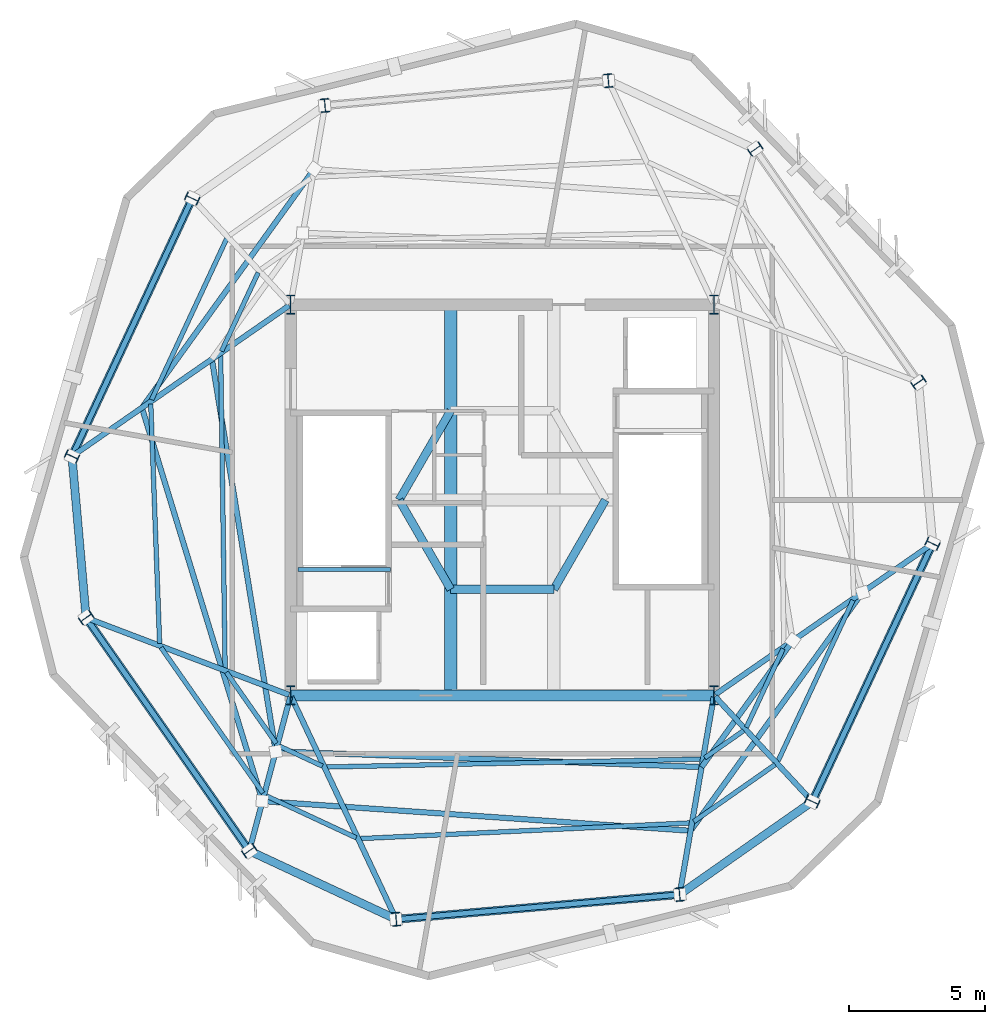
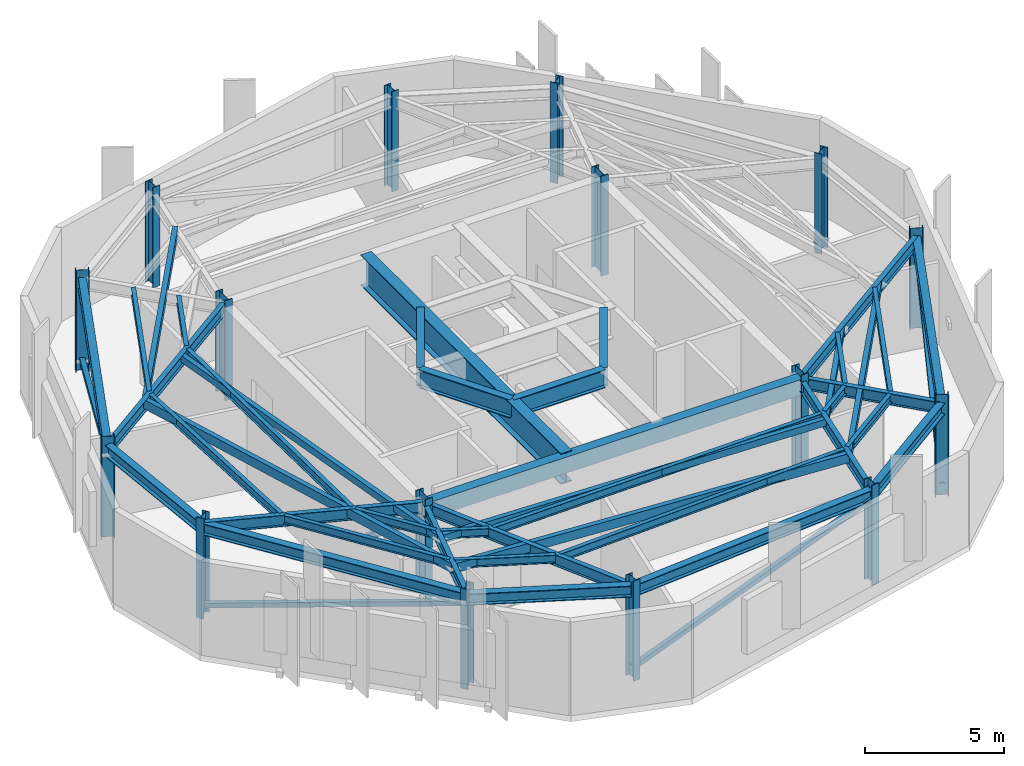
# One storey, part 1 of 5: 35 beams, 16 columns, 11 members.
"""IFC4 building model written with IfcOpenShell, lengths in metres."""

from ifc_helpers import new_model, si_unit, direction, frame, origin, origin_2d, place, context, subcontext, project, spatial, rectangle, hollow_rectangle, i_section, extrude, material, material_profile, profile_set, type_object, element, save


model = new_model("IFC4")

# Units and contexts
model_context = context("Model", 3, precision=1e-05, world=origin(), true_north=direction((0.0, 1.0)))
body_context = subcontext(model_context, "Body", "Model", "MODEL_VIEW")
ifc_project = project(units=[si_unit("LENGTHUNIT", "METRE"), si_unit("AREAUNIT", "SQUARE_METRE"), si_unit("VOLUMEUNIT", "CUBIC_METRE"), si_unit("PLANEANGLEUNIT", "RADIAN"), si_unit("MASSUNIT", "GRAM", prefix="KILO")], contexts=[model_context])

# Site, building, storey
site_placement = place(None, origin())
site = spatial("IfcSite", under=ifc_project, at=site_placement, CompositionType="ELEMENT")
building_placement = place(site_placement, origin())
building = spatial("IfcBuilding", under=site, at=building_placement, Name="Kranzbogen Civic Tower", CompositionType="ELEMENT")
storey_placement = place(building_placement, frame((0.0, 0.0, 322.60009765625)))
storey = spatial("IfcBuildingStorey", under=building, at=storey_placement, Name="L78", CompositionType="ELEMENT", Elevation=322.60009765625)

# Columns
ifc_material_1 = material(Name="Steel S355", Category="steel")
ifc_material_profile_1 = material_profile(ifc_material_1, i_section(OverallWidth=0.300048828125, OverallDepth=0.5, WebThickness=0.014404296875, FlangeThickness=0.028076171875, at=origin_2d()), Name="HEB 500")
ifc_profile_set_1 = profile_set([ifc_material_profile_1], Name="Steel S355")
column_type_1 = type_object("IfcColumnType", Name="Structural Column HEB 500", PredefinedType="COLUMN", material=ifc_profile_set_1)
for number, where, z_axis, x_axis, name in (
    (1, (28.908935546875, 40.449951171875, 0.0), (0.0, 0.0, 1.0), (0.996194698092, 0.087155742748, 0.0), "L78 tower perimeter tube column 01"),
    (2, (18.467041015625, 39.535888671875, 0.0), (0.0, 0.0, 1.0), (0.996194698092, 0.087155742748, 0.0), "L78 tower perimeter tube column 02"),
    (3, (13.574951171875, 36.110107421875, 0.0), (0.0, 0.0, 1.0), (0.422618261741, 0.906307787037, 0.0), "L78 tower perimeter tube column 03"),
    (4, (9.14501953125, 26.610107421875, 0.0), (0.0, 0.0, 1.0), (0.422618261741, 0.906307787037, 0.0), "L78 tower perimeter tube column 04"),
    (5, (9.666015625, 20.660888671875, 0.0), (0.0, 0.0, 1.0), (-0.573576436351, 0.819152044289, 0.0), "L78 tower perimeter tube column 05"),
    (6, (15.677978515625, 12.073974609375, 0.0), (0.0, 0.0, 1.0), (-0.573576436351, 0.819152044289, 0.0), "L78 tower perimeter tube column 06"),
    (7, (21.091064453125, 9.550048828125, 0.0), (0.0, 0.0, 1.0), (0.996194698092, 0.087155742748, 0.0), "L78 tower perimeter tube column 07"),
    (8, (31.532958984375, 10.464111328125, 0.0), (0.0, 0.0, 1.0), (0.996194698092, 0.087155742748, 0.0), "L78 tower perimeter tube column 08"),
    (9, (36.425048828125, 13.889892578125, 0.0), (0.0, 0.0, 1.0), (0.422618261741, 0.906307787037, 0.0), "L78 tower perimeter tube column 09"),
    (10, (40.85498046875, 23.389892578125, 0.0), (0.0, 0.0, 1.0), (0.422618261741, 0.906307787037, 0.0), "L78 tower perimeter tube column 10"),
    (11, (40.333984375, 29.339111328125, 0.0), (0.0, 0.0, 1.0), (-0.573576436351, 0.819152044289, 0.0), "L78 tower perimeter tube column 11"),
    (12, (34.322021484375, 37.926025390625, 0.0), (0.0, 0.0, 1.0), (-0.573576436351, 0.819152044289, 0.0), "L78 tower perimeter tube column 12"),
):
    element("IfcColumn", number, at=place(storey_placement, frame(where, z_axis=z_axis, x_axis=x_axis)), inside=storey, type_object=column_type_1, Name=name, PredefinedType="COLUMN", context=body_context, shape_type="SweptSolid", body=[
        extrude(i_section(OverallWidth=0.300048828125, OverallDepth=0.5, WebThickness=0.014404296875, FlangeThickness=0.028076171875, at=origin_2d()), origin(), (0.0, 0.0, 1.0), 4.39990234375),
    ])
ifc_material_profile_2 = material_profile(ifc_material_1, i_section(OverallWidth=0.300048828125, OverallDepth=0.699951171875, WebThickness=0.01708984375, FlangeThickness=0.031982421875, at=origin_2d()), Name="HEB 700")
ifc_profile_set_2 = profile_set([ifc_material_profile_2], Name="Steel S355")
column_type_2 = type_object("IfcColumnType", Name="Structural Column HEB 700", PredefinedType="COLUMN", material=ifc_profile_set_2)
for number, where, z_axis, x_axis, name in (
    (13, (17.199951171875, 17.800048828125, 0.0), (0.0, 0.0, 1.0), (1.0, 0.0, 0.0), "L78 composite core corner column 1"),
    (14, (32.800048828125, 17.800048828125, 0.0), (0.0, 0.0, 1.0), (1.0, 0.0, 0.0), "L78 composite core corner column 2"),
    (15, (32.800048828125, 32.199951171875, 0.0), (0.0, 0.0, 1.0), (1.0, 0.0, 0.0), "L78 composite core corner column 3"),
    (16, (17.199951171875, 32.199951171875, 0.0), (0.0, 0.0, 1.0), (1.0, 0.0, 0.0), "L78 composite core corner column 4"),
):
    element("IfcColumn", number, at=place(storey_placement, frame(where, z_axis=z_axis, x_axis=x_axis)), inside=storey, type_object=column_type_2, Name=name, PredefinedType="COLUMN", context=body_context, shape_type="SweptSolid", body=[
        extrude(i_section(OverallWidth=0.300048828125, OverallDepth=0.699951171875, WebThickness=0.01708984375, FlangeThickness=0.031982421875, at=origin_2d()), origin(), (0.0, 0.0, 1.0), 4.39990234375),
    ])

# Beam
ifc_material_2 = material(Name="Concrete C40/50", Category="concrete")
ifc_material_profile_3 = material_profile(ifc_material_2, rectangle(XDim=0.39990234375, YDim=0.699951171875, at=origin_2d()), Name="RC-BM 400x700")
ifc_profile_set_3 = profile_set([ifc_material_profile_3], Name="Concrete C40/50")
beam_type_1 = type_object("IfcBeamType", Name="Core Coupling Lintel Beam 400x700", PredefinedType="LINTEL", material=ifc_profile_set_3)
beam_1_placement = place(storey_placement, frame((17.199951171875, 17.800048828125, 3.75), z_axis=(1.0, 0.0, 0.0), x_axis=(0.0, 1.0, 0.0)))
element("IfcBeam", 17, at=beam_1_placement, inside=storey, type_object=beam_type_1, Name="L78 core South coupling lintel beam", PredefinedType="LINTEL", context=body_context, shape_type="SweptSolid", body=[
    extrude(rectangle(XDim=0.39990234375, YDim=0.699951171875, at=origin_2d()), origin(), (0.0, 0.0, 1.0), 15.60009765625),
])

# Members
ifc_material_profile_4 = material_profile(ifc_material_1, hollow_rectangle(XDim=0.199951171875, YDim=0.199951171875, WallThickness=0.012451171875, at=origin_2d()), Name="SHS 200x200x12.5")
ifc_profile_set_4 = profile_set([ifc_material_profile_4], Name="Steel S355")
member_type_1 = type_object("IfcMemberType", Name="Crown Drum Bracing Member SHS 200x200x12.5", PredefinedType="BRACE", material=ifc_profile_set_4)
member_1_placement = place(storey_placement, frame((13.574951171875, 36.110107421875, 0.449951171875), z_axis=(-0.4042036607, -0.866815808496, 0.291975606547), x_axis=(0.906307462258, -0.422618958231, 0.0)))
element("IfcMember", 18, at=member_1_placement, inside=storey, type_object=member_type_1, Name="DC-200: L78 crown drum lateral brace 2", PredefinedType="BRACE", context=body_context, shape_type="SweptSolid", body=[
    extrude(hollow_rectangle(XDim=0.199951171875, YDim=0.199951171875, WallThickness=0.012451171875, at=origin_2d()), origin(), (0.0, 0.0, 1.0), 10.959716796875),
])
member_2_placement = place(storey_placement, frame((9.666015625, 20.660888671875, 0.449951171875), z_axis=(0.548543887605, -0.783487740704, 0.291970141516), x_axis=(0.819181584375, 0.573534246424, 0.0)))
element("IfcMember", 19, at=member_2_placement, inside=storey, type_object=member_type_1, Name="DC-200: L78 crown drum lateral brace 3", PredefinedType="BRACE", context=body_context, shape_type="SweptSolid", body=[
    extrude(hollow_rectangle(XDim=0.199951171875, YDim=0.199951171875, WallThickness=0.012451171875, at=origin_2d()), origin(), (0.0, 0.0, 1.0), 10.9599609375),
])
member_3_placement = place(storey_placement, frame((21.091064453125, 9.550048828125, 0.449951171875), z_axis=(0.952780116497, 0.083404460046, 0.291982440658), x_axis=(-0.087204511818, 0.996190430148, 0.0)))
element("IfcMember", 20, at=member_3_placement, inside=storey, type_object=member_type_1, Name="DC-200: L78 crown drum lateral brace 4", PredefinedType="BRACE", context=body_context, shape_type="SweptSolid", body=[
    extrude(hollow_rectangle(XDim=0.199951171875, YDim=0.199951171875, WallThickness=0.012451171875, at=origin_2d()), origin(), (0.0, 0.0, 1.0), 10.95947265625),
])
member_4_placement = place(storey_placement, frame((36.425048828125, 13.889892578125, 0.449951171875), z_axis=(0.4042036607, 0.866815808496, 0.291975606547), x_axis=(-0.906307462258, 0.422618958231, 0.0)))
element("IfcMember", 21, at=member_4_placement, inside=storey, type_object=member_type_1, Name="DC-200: L78 crown drum lateral brace 5", PredefinedType="BRACE", context=body_context, shape_type="SweptSolid", body=[
    extrude(hollow_rectangle(XDim=0.199951171875, YDim=0.199951171875, WallThickness=0.012451171875, at=origin_2d()), origin(), (0.0, 0.0, 1.0), 10.959716796875),
])
ifc_material_profile_5 = material_profile(ifc_material_1, hollow_rectangle(XDim=0.199951171875, YDim=0.39990234375, WallThickness=0.01611328125, at=origin_2d()), Name="RHS 400x200x16")
ifc_profile_set_5 = profile_set([ifc_material_profile_5], Name="Steel S355")
member_type_2 = type_object("IfcMemberType", Name="Crown Roof Primary Purlin RHS 400x200x16", PredefinedType="PURLIN", material=ifc_profile_set_5)
member_5_placement = place(storey_placement, frame((18.06201171875, 37.18798828125, 3.89990234375), z_axis=(-0.58497221556, -0.811053331799, 0.0), x_axis=(0.811053331799, -0.58497221556, 0.0)))
element("IfcMember", 22, at=member_5_placement, inside=storey, type_object=member_type_2, Name="Crown sloped roof purlin 1.1", PredefinedType="PURLIN", context=body_context, shape_type="SweptSolid", body=[
    extrude(hollow_rectangle(XDim=0.199951171875, YDim=0.39990234375, WallThickness=0.01611328125, at=origin_2d()), origin(), (0.0, 0.0, 1.0), 10.836669921875),
])
member_6_placement = place(storey_placement, frame((11.722900390625, 28.39892578125, 3.89990234375), z_axis=(0.293047842578, -0.956097778452, 0.0), x_axis=(0.956097778452, 0.293047842578, 0.0)))
element("IfcMember", 23, at=member_6_placement, inside=storey, type_object=member_type_2, Name="Crown sloped roof purlin 2.1", PredefinedType="PURLIN", context=body_context, shape_type="SweptSolid", body=[
    extrude(hollow_rectangle(XDim=0.199951171875, YDim=0.39990234375, WallThickness=0.01611328125, at=origin_2d()), origin(), (0.0, 0.0, 1.0), 15.158447265625),
])
member_7_placement = place(storey_placement, frame((16.1650390625, 13.906005859375, 3.89990234375), z_axis=(0.997603316424, -0.06919265178, 0.0), x_axis=(0.06919265178, 0.997603316424, 0.0)))
element("IfcMember", 24, at=member_7_placement, inside=storey, type_object=member_type_2, Name="Crown sloped roof purlin 3.1", PredefinedType="PURLIN", context=body_context, shape_type="SweptSolid", body=[
    extrude(hollow_rectangle(XDim=0.199951171875, YDim=0.39990234375, WallThickness=0.01611328125, at=origin_2d()), origin(), (0.0, 0.0, 1.0), 15.810791015625),
])
member_8_placement = place(storey_placement, frame((31.93798828125, 12.81201171875, 3.89990234375), z_axis=(0.58497221556, 0.811053331799, 0.0), x_axis=(-0.811053331799, 0.58497221556, 0.0)))
element("IfcMember", 25, at=member_8_placement, inside=storey, type_object=member_type_2, Name="Crown sloped roof purlin 4.1", PredefinedType="PURLIN", context=body_context, shape_type="SweptSolid", body=[
    extrude(hollow_rectangle(XDim=0.199951171875, YDim=0.39990234375, WallThickness=0.01611328125, at=origin_2d()), origin(), (0.0, 0.0, 1.0), 10.836669921875),
])
ifc_material_profile_6 = material_profile(ifc_material_1, hollow_rectangle(XDim=0.199951171875, YDim=0.300048828125, WallThickness=0.012451171875, at=origin_2d()), Name="RHS 300x200x12.5")
ifc_profile_set_6 = profile_set([ifc_material_profile_6], Name="Steel S355")
member_type_3 = type_object("IfcMemberType", Name="Crown Roof Secondary Purlin RHS 300x200x12.5", PredefinedType="PURLIN", material=ifc_profile_set_6)
member_9_placement = place(storey_placement, frame((14.300048828125, 30.18798828125, 3.89990234375), z_axis=(0.160668423312, -0.987008438541, 0.0), x_axis=(0.987008438541, 0.160668423312, 0.0)))
element("IfcMember", 26, at=member_9_placement, inside=storey, type_object=member_type_3, Name="Crown sloped roof purlin 2.2", PredefinedType="PURLIN", context=body_context, shape_type="SweptSolid", body=[
    extrude(hollow_rectangle(XDim=0.199951171875, YDim=0.300048828125, WallThickness=0.012451171875, at=origin_2d()), origin(), (0.0, 0.0, 1.0), 14.63916015625),
])
member_10_placement = place(storey_placement, frame((16.652099609375, 15.739013671875, 3.89990234375), z_axis=(0.999317429699, -0.036941503765, 0.0), x_axis=(0.036941503765, 0.999317429699, 0.0)))
element("IfcMember", 27, at=member_10_placement, inside=storey, type_object=member_type_3, Name="Crown sloped roof purlin 3.2", PredefinedType="PURLIN", context=body_context, shape_type="SweptSolid", body=[
    extrude(hollow_rectangle(XDim=0.199951171875, YDim=0.300048828125, WallThickness=0.012451171875, at=origin_2d()), origin(), (0.0, 0.0, 1.0), 15.70263671875),
])
member_11_placement = place(storey_placement, frame((32.343994140625, 15.158935546875, 3.89990234375), z_axis=(0.584963712616, 0.81105946448, 0.0), x_axis=(-0.81105946448, 0.584963712616, 0.0)))
element("IfcMember", 28, at=member_11_placement, inside=storey, type_object=member_type_3, Name="Crown sloped roof purlin 4.2", PredefinedType="PURLIN", context=body_context, shape_type="SweptSolid", body=[
    extrude(hollow_rectangle(XDim=0.199951171875, YDim=0.300048828125, WallThickness=0.012451171875, at=origin_2d()), origin(), (0.0, 0.0, 1.0), 5.737060546875),
])

# Beams
ifc_material_profile_7 = material_profile(ifc_material_1, i_section(OverallWidth=0.300048828125, OverallDepth=0.5, WebThickness=0.014404296875, FlangeThickness=0.028076171875, at=origin_2d()), Name="HEB 500")
ifc_profile_set_7 = profile_set([ifc_material_profile_7], Name="Steel S355")
beam_type_2 = type_object("IfcBeamType", Name="Perimeter Tube Spandrel Beam HEB 500", PredefinedType="SPANDREL", material=ifc_profile_set_7)
beam_2_placement = place(storey_placement, frame((9.699951171875, 20.612060546875, 3.849853515625), z_axis=(0.573577759301, -0.819151117948, 0.0), x_axis=(0.819151117948, 0.573577759301, 0.0)))
element("IfcBeam", 29, at=beam_2_placement, inside=storey, type_object=beam_type_2, Name="L78 perimeter spandrel beam 01", PredefinedType="SPANDREL", context=body_context, shape_type="SweptSolid", body=[
    extrude(i_section(OverallWidth=0.300048828125, OverallDepth=0.5, WebThickness=0.014404296875, FlangeThickness=0.028076171875, at=origin_2d()), origin(), (0.0, 0.0, 1.0), 10.36328125),
])
beam_3_placement = place(storey_placement, frame((15.73193359375, 12.049072265625, 3.849853515625), z_axis=(0.906289661556, -0.422657129784, 0.0), x_axis=(0.422657129784, 0.906289661556, 0.0)))
element("IfcBeam", 30, at=beam_3_placement, inside=storey, type_object=beam_type_2, Name="L78 perimeter spandrel beam 02", PredefinedType="SPANDREL", context=body_context, shape_type="SweptSolid", body=[
    extrude(i_section(OverallWidth=0.300048828125, OverallDepth=0.5, WebThickness=0.014404296875, FlangeThickness=0.028076171875, at=origin_2d()), origin(), (0.0, 0.0, 1.0), 5.853759765625),
])
beam_4_placement = place(storey_placement, frame((21.15087890625, 9.554931640625, 3.849853515625), z_axis=(0.996186373839, 0.087250837114, 0.0), x_axis=(-0.087250837114, 0.996186373839, 0.0)))
element("IfcBeam", 31, at=beam_4_placement, inside=storey, type_object=beam_type_2, Name="L78 perimeter spandrel beam 03", PredefinedType="SPANDREL", context=body_context, shape_type="SweptSolid", body=[
    extrude(i_section(OverallWidth=0.300048828125, OverallDepth=0.5, WebThickness=0.014404296875, FlangeThickness=0.028076171875, at=origin_2d()), origin(), (0.0, 0.0, 1.0), 10.361572265625),
])
beam_5_placement = place(storey_placement, frame((31.58203125, 10.498046875, 3.849853515625), z_axis=(0.819059436004, 0.57370867197, 0.0), x_axis=(-0.57370867197, 0.819059436004, 0.0)))
element("IfcBeam", 32, at=beam_5_placement, inside=storey, type_object=beam_type_2, Name="L78 perimeter spandrel beam 04", PredefinedType="SPANDREL", context=body_context, shape_type="SweptSolid", body=[
    extrude(i_section(OverallWidth=0.300048828125, OverallDepth=0.5, WebThickness=0.014404296875, FlangeThickness=0.028076171875, at=origin_2d()), origin(), (0.0, 0.0, 1.0), 5.85302734375),
])
for number, where, z_axis, x_axis, name in (
    (33, (36.449951171875, 13.944091796875, 3.849853515625), (0.422668780888, 0.906284227857, 0.0), (-0.906284227857, 0.422668780888, 0.0), "L78 perimeter spandrel beam 05"),
    (34, (13.550048828125, 36.055908203125, 3.849853515625), (-0.422668780888, -0.906284227857, 0.0), (0.906284227857, -0.422668780888, 0.0), "L78 perimeter spandrel beam 11"),
):
    element("IfcBeam", number, at=place(storey_placement, frame(where, z_axis=z_axis, x_axis=x_axis)), inside=storey, type_object=beam_type_2, Name=name, PredefinedType="SPANDREL", context=body_context, shape_type="SweptSolid", body=[
        extrude(i_section(OverallWidth=0.300048828125, OverallDepth=0.5, WebThickness=0.014404296875, FlangeThickness=0.028076171875, at=origin_2d()), origin(), (0.0, 0.0, 1.0), 10.363037109375),
    ])
beam_6_placement = place(storey_placement, frame((9.14990234375, 26.550048828125, 3.849853515625), z_axis=(0.087326362434, -0.99617975608, 0.0), x_axis=(0.99617975608, 0.087326362434, 0.0)))
element("IfcBeam", 35, at=beam_6_placement, inside=storey, type_object=beam_type_2, Name="L78 perimeter spandrel beam 12", PredefinedType="SPANDREL", context=body_context, shape_type="SweptSolid", body=[
    extrude(i_section(OverallWidth=0.300048828125, OverallDepth=0.5, WebThickness=0.014404296875, FlangeThickness=0.028076171875, at=origin_2d()), origin(), (0.0, 0.0, 1.0), 5.8515625),
])
ifc_material_profile_8 = material_profile(ifc_material_1, i_section(OverallWidth=0.300048828125, OverallDepth=0.800048828125, WebThickness=0.017578125, FlangeThickness=0.032958984375, at=origin_2d()), Name="HEB 800")
ifc_profile_set_8 = profile_set([ifc_material_profile_8], Name="Steel S355")
beam_type_3 = type_object("IfcBeamType", Name="Primary Ring and Crown Transfer Girder HEB 800", PredefinedType="BEAM", material=ifc_profile_set_8)
for number, where, z_axis, x_axis, name in (
    (36, (23.10009765625, 28.291015625, 3.77001953125), (-0.500015340139, -0.86601654697, 0.0), (0.86601654697, -0.500015340139, 0.0), "TG-800: Broadcast Mast base transfer ring girder 3"),
    (37, (21.199951171875, 25.0, 3.77001953125), (0.500015340139, -0.86601654697, 0.0), (0.86601654697, 0.500015340139, 0.0), "TG-800: Broadcast Mast base transfer ring girder 4"),
):
    element("IfcBeam", number, at=place(storey_placement, frame(where, z_axis=z_axis, x_axis=x_axis)), inside=storey, type_object=beam_type_3, Name=name, PredefinedType="BEAM", context=body_context, shape_type="SweptSolid", body=[
        extrude(i_section(OverallWidth=0.300048828125, OverallDepth=0.800048828125, WebThickness=0.017578125, FlangeThickness=0.032958984375, at=origin_2d()), origin(), (0.0, 0.0, 1.0), 3.80029296875),
    ])
beam_7_placement = place(storey_placement, frame((23.10009765625, 21.708984375, 3.77001953125), z_axis=(1.0, 0.0, 0.0), x_axis=(0.0, 1.0, 0.0)))
element("IfcBeam", 38, at=beam_7_placement, inside=storey, type_object=beam_type_3, Name="TG-800: Broadcast Mast base transfer ring girder 5", PredefinedType="BEAM", context=body_context, shape_type="SweptSolid", body=[
    extrude(i_section(OverallWidth=0.300048828125, OverallDepth=0.800048828125, WebThickness=0.017578125, FlangeThickness=0.032958984375, at=origin_2d()), origin(), (0.0, 0.0, 1.0), 3.7998046875),
])
beam_8_placement = place(storey_placement, frame((26.89990234375, 21.708984375, 3.77001953125), z_axis=(0.500015340139, 0.86601654697, 0.0), x_axis=(-0.86601654697, 0.500015340139, 0.0)))
element("IfcBeam", 39, at=beam_8_placement, inside=storey, type_object=beam_type_3, Name="TG-800: Broadcast Mast base transfer ring girder 6", PredefinedType="BEAM", context=body_context, shape_type="SweptSolid", body=[
    extrude(i_section(OverallWidth=0.300048828125, OverallDepth=0.800048828125, WebThickness=0.017578125, FlangeThickness=0.032958984375, at=origin_2d()), origin(), (0.0, 0.0, 1.0), 3.80029296875),
])
ifc_material_profile_9 = material_profile(ifc_material_1, i_section(OverallWidth=0.199951171875, OverallDepth=0.5, WebThickness=0.01025390625, FlangeThickness=0.01611328125, at=origin_2d()), Name="IPE 500")
ifc_profile_set_9 = profile_set([ifc_material_profile_9], Name="Steel S355")
beam_type_4 = type_object("IfcBeamType", Name="Radial Tower Floor Girder IPE 500", PredefinedType="BEAM", material=ifc_profile_set_9)
beam_9_placement = place(storey_placement, frame((9.721923828125, 20.639892578125, 3.849853515625), z_axis=(0.934848709689, -0.355046320913, 0.0), x_axis=(0.355046320913, 0.934848709689, 0.0)))
element("IfcBeam", 40, at=beam_9_placement, inside=storey, type_object=beam_type_4, Name="L78 radial floor girder 01", PredefinedType="BEAM", context=body_context, shape_type="SweptSolid", body=[
    extrude(i_section(OverallWidth=0.199951171875, OverallDepth=0.5, WebThickness=0.01025390625, FlangeThickness=0.01611328125, at=origin_2d()), origin(), (0.0, 0.0, 1.0), 7.939453125),
])
beam_10_placement = place(storey_placement, frame((15.693115234375, 12.132080078125, 3.849853515625), z_axis=(0.257016017622, 0.966407143333, 0.0), x_axis=(-0.966407143333, 0.257016017622, 0.0)))
element("IfcBeam", 41, at=beam_10_placement, inside=storey, type_object=beam_type_4, Name="L78 radial floor girder 02", PredefinedType="BEAM", context=body_context, shape_type="SweptSolid", body=[
    extrude(i_section(OverallWidth=0.199951171875, OverallDepth=0.5, WebThickness=0.01025390625, FlangeThickness=0.01611328125, at=origin_2d()), origin(), (0.0, 0.0, 1.0), 5.804931640625),
])
beam_11_placement = place(storey_placement, frame((21.06494140625, 9.60400390625, 3.849853515625), z_axis=(-0.426460441273, 0.904506214478, 0.0), x_axis=(-0.904506214478, -0.426460441273, 0.0)))
element("IfcBeam", 42, at=beam_11_placement, inside=storey, type_object=beam_type_4, Name="L78 radial floor girder 03", PredefinedType="BEAM", context=body_context, shape_type="SweptSolid", body=[
    extrude(i_section(OverallWidth=0.199951171875, OverallDepth=0.5, WebThickness=0.01025390625, FlangeThickness=0.01611328125, at=origin_2d()), origin(), (0.0, 0.0, 1.0), 9.001708984375),
])
beam_12_placement = place(storey_placement, frame((31.54296875, 10.52294921875, 3.849853515625), z_axis=(0.170249558486, 0.985400978199, 0.0), x_axis=(-0.985400978199, 0.170249558486, 0.0)))
element("IfcBeam", 43, at=beam_12_placement, inside=storey, type_object=beam_type_4, Name="L78 radial floor girder 04", PredefinedType="BEAM", context=body_context, shape_type="SweptSolid", body=[
    extrude(i_section(OverallWidth=0.199951171875, OverallDepth=0.5, WebThickness=0.01025390625, FlangeThickness=0.01611328125, at=origin_2d()), origin(), (0.0, 0.0, 1.0), 7.324951171875),
])
beam_13_placement = place(storey_placement, frame((36.384033203125, 13.93408203125, 3.849853515625), z_axis=(-0.679827353702, 0.733372190064, 0.0), x_axis=(-0.733372190064, -0.679827353702, 0.0)))
element("IfcBeam", 44, at=beam_13_placement, inside=storey, type_object=beam_type_4, Name="L78 radial floor girder 05", PredefinedType="BEAM", context=body_context, shape_type="SweptSolid", body=[
    extrude(i_section(OverallWidth=0.199951171875, OverallDepth=0.5, WebThickness=0.01025390625, FlangeThickness=0.01611328125, at=origin_2d()), origin(), (0.0, 0.0, 1.0), 5.211669921875),
])
for number, where, z_axis, x_axis, name in (
    (45, (40.805908203125, 23.35595703125, 3.849853515625), (-0.821542812331, -0.570146829779, 0.0), (0.570146829779, -0.821542812331, 0.0), "L78 radial floor girder 06"),
    (46, (9.194091796875, 26.64404296875, 3.849853515625), (0.821542812331, 0.570146829779, 0.0), (-0.570146829779, 0.821542812331, 0.0), "L78 radial floor girder 12"),
):
    element("IfcBeam", number, at=place(storey_placement, frame(where, z_axis=z_axis, x_axis=x_axis)), inside=storey, type_object=beam_type_4, Name=name, PredefinedType="BEAM", context=body_context, shape_type="SweptSolid", body=[
        extrude(i_section(OverallWidth=0.199951171875, OverallDepth=0.5, WebThickness=0.01025390625, FlangeThickness=0.01611328125, at=origin_2d()), origin(), (0.0, 0.0, 1.0), 9.68505859375),
    ])
ifc_material_profile_10 = material_profile(ifc_material_1, i_section(OverallWidth=0.169921875, OverallDepth=0.360107421875, WebThickness=0.008056640625, FlangeThickness=0.0126953125, at=origin_2d()), Name="IPE 360")
ifc_profile_set_10 = profile_set([ifc_material_profile_10], Name="Steel S355")
beam_type_5 = type_object("IfcBeamType", Name="Secondary Composite Floor Joist IPE 360", PredefinedType="JOIST", material=ifc_profile_set_10)
beam_14_placement = place(storey_placement, frame((12.424072265625, 19.56591796875, 3.919921875), z_axis=(0.573499872939, -0.819205649235, 0.0), x_axis=(0.819205649235, 0.573499872939, 0.0)))
element("IfcBeam", 47, at=beam_14_placement, inside=storey, type_object=beam_type_5, Name="L78 secondary floor joist 1.01", PredefinedType="JOIST", context=body_context, shape_type="SweptSolid", body=[
    extrude(i_section(OverallWidth=0.169921875, OverallDepth=0.360107421875, WebThickness=0.008056640625, FlangeThickness=0.0126953125, at=origin_2d()), origin(), (0.0, 0.0, 1.0), 6.549072265625),
])
beam_15_placement = place(storey_placement, frame((14.8349609375, 18.64990234375, 3.919921875), z_axis=(0.573498248491, -0.819206786457, 0.0), x_axis=(0.819206786457, 0.573498248491, 0.0)))
element("IfcBeam", 48, at=beam_15_placement, inside=storey, type_object=beam_type_5, Name="L78 secondary floor joist 2.01", PredefinedType="JOIST", context=body_context, shape_type="SweptSolid", body=[
    extrude(i_section(OverallWidth=0.169921875, OverallDepth=0.360107421875, WebThickness=0.008056640625, FlangeThickness=0.0126953125, at=origin_2d()), origin(), (0.0, 0.0, 1.0), 3.194580078125),
])
beam_16_placement = place(storey_placement, frame((16.298095703125, 14.10205078125, 3.919921875), z_axis=(0.906303996948, -0.422626389517, 0.0), x_axis=(0.422626389517, 0.906303996948, 0.0)))
element("IfcBeam", 49, at=beam_16_placement, inside=storey, type_object=beam_type_5, Name="L78 secondary floor joist 1.02", PredefinedType="JOIST", context=body_context, shape_type="SweptSolid", body=[
    extrude(i_section(OverallWidth=0.169921875, OverallDepth=0.360107421875, WebThickness=0.008056640625, FlangeThickness=0.0126953125, at=origin_2d()), origin(), (0.0, 0.0, 1.0), 3.6630859375),
])
beam_17_placement = place(storey_placement, frame((16.784912109375, 15.93408203125, 3.919921875), z_axis=(0.906432174342, -0.422351409751, 0.0), x_axis=(0.422351409751, 0.906432174342, 0.0)))
element("IfcBeam", 50, at=beam_17_placement, inside=storey, type_object=beam_type_5, Name="L78 secondary floor joist 2.02", PredefinedType="JOIST", context=body_context, shape_type="SweptSolid", body=[
    extrude(i_section(OverallWidth=0.169921875, OverallDepth=0.360107421875, WebThickness=0.008056640625, FlangeThickness=0.0126953125, at=origin_2d()), origin(), (0.0, 0.0, 1.0), 1.751953125),
])
beam_18_placement = place(storey_placement, frame((19.77001953125, 12.52392578125, 3.919921875), z_axis=(0.998871634781, 0.047491654324, 0.0), x_axis=(-0.047491654324, 0.998871634781, 0.0)))
element("IfcBeam", 51, at=beam_18_placement, inside=storey, type_object=beam_type_5, Name="L78 secondary floor joist 1.03", PredefinedType="JOIST", context=body_context, shape_type="SweptSolid", body=[
    extrude(i_section(OverallWidth=0.169921875, OverallDepth=0.360107421875, WebThickness=0.008056640625, FlangeThickness=0.0126953125, at=origin_2d()), origin(), (0.0, 0.0, 1.0), 12.152587890625),
])
beam_19_placement = place(storey_placement, frame((18.52490234375, 15.162109375, 3.919921875), z_axis=(0.999780746893, 0.020939392104, 0.0), x_axis=(-0.020939392104, 0.999780746893, 0.0)))
element("IfcBeam", 52, at=beam_19_placement, inside=storey, type_object=beam_type_5, Name="L78 secondary floor joist 2.03", PredefinedType="JOIST", context=body_context, shape_type="SweptSolid", body=[
    extrude(i_section(OverallWidth=0.169921875, OverallDepth=0.360107421875, WebThickness=0.008056640625, FlangeThickness=0.0126953125, at=origin_2d()), origin(), (0.0, 0.0, 1.0), 13.79296875),
])
beam_20_placement = place(storey_placement, frame((32.054931640625, 13.15087890625, 3.919921875), z_axis=(0.819006333711, 0.573784476385, 0.0), x_axis=(-0.573784476385, 0.819006333711, 0.0)))
element("IfcBeam", 53, at=beam_20_placement, inside=storey, type_object=beam_type_5, Name="L78 secondary floor joist 1.04", PredefinedType="JOIST", context=body_context, shape_type="SweptSolid", body=[
    extrude(i_section(OverallWidth=0.169921875, OverallDepth=0.360107421875, WebThickness=0.008056640625, FlangeThickness=0.0126953125, at=origin_2d()), origin(), (0.0, 0.0, 1.0), 3.661865234375),
])
beam_21_placement = place(storey_placement, frame((32.4599609375, 15.498046875, 3.919921875), z_axis=(0.818956727849, 0.573855276103, 0.0), x_axis=(-0.573855276103, 0.818956727849, 0.0)))
element("IfcBeam", 54, at=beam_21_placement, inside=storey, type_object=beam_type_5, Name="L78 secondary floor joist 2.04", PredefinedType="JOIST", context=body_context, shape_type="SweptSolid", body=[
    extrude(i_section(OverallWidth=0.169921875, OverallDepth=0.360107421875, WebThickness=0.008056640625, FlangeThickness=0.0126953125, at=origin_2d()), origin(), (0.0, 0.0, 1.0), 1.751220703125),
])
beam_22_placement = place(storey_placement, frame((35.154052734375, 15.3701171875, 3.919921875), z_axis=(0.422542528713, 0.906343098075, 0.0), x_axis=(-0.906343098075, 0.422542528713, 0.0)))
element("IfcBeam", 55, at=beam_22_placement, inside=storey, type_object=beam_type_5, Name="L78 secondary floor joist 1.05", PredefinedType="JOIST", context=body_context, shape_type="SweptSolid", body=[
    extrude(i_section(OverallWidth=0.169921875, OverallDepth=0.360107421875, WebThickness=0.008056640625, FlangeThickness=0.0126953125, at=origin_2d()), origin(), (0.0, 0.0, 1.0), 6.548095703125),
])
beam_23_placement = place(storey_placement, frame((33.993896484375, 16.62109375, 3.919921875), z_axis=(0.422651143991, 0.906292453065, 0.0), x_axis=(-0.906292453065, 0.422651143991, 0.0)))
element("IfcBeam", 56, at=beam_23_placement, inside=storey, type_object=beam_type_5, Name="L78 secondary floor joist 2.05", PredefinedType="JOIST", context=body_context, shape_type="SweptSolid", body=[
    extrude(i_section(OverallWidth=0.169921875, OverallDepth=0.360107421875, WebThickness=0.008056640625, FlangeThickness=0.0126953125, at=origin_2d()), origin(), (0.0, 0.0, 1.0), 3.1943359375),
])
beam_24_placement = place(storey_placement, frame((14.845947265625, 34.6298828125, 3.919921875), z_axis=(-0.422542528713, -0.906343098075, 0.0), x_axis=(0.906343098075, -0.422542528713, 0.0)))
element("IfcBeam", 57, at=beam_24_placement, inside=storey, type_object=beam_type_5, Name="L78 secondary floor joist 1.11", PredefinedType="JOIST", context=body_context, shape_type="SweptSolid", body=[
    extrude(i_section(OverallWidth=0.169921875, OverallDepth=0.360107421875, WebThickness=0.008056640625, FlangeThickness=0.0126953125, at=origin_2d()), origin(), (0.0, 0.0, 1.0), 6.548095703125),
])
beam_25_placement = place(storey_placement, frame((16.006103515625, 33.37890625, 3.919921875), z_axis=(-0.422651143991, -0.906292453065, 0.0), x_axis=(0.906292453065, -0.422651143991, 0.0)))
element("IfcBeam", 58, at=beam_25_placement, inside=storey, type_object=beam_type_5, Name="L78 secondary floor joist 2.11", PredefinedType="JOIST", context=body_context, shape_type="SweptSolid", body=[
    extrude(i_section(OverallWidth=0.169921875, OverallDepth=0.360107421875, WebThickness=0.008056640625, FlangeThickness=0.0126953125, at=origin_2d()), origin(), (0.0, 0.0, 1.0), 3.1943359375),
])
beam_26_placement = place(storey_placement, frame((12.048095703125, 28.5419921875, 3.919921875), z_axis=(0.036992246074, -0.999315552631, 0.0), x_axis=(0.999315552631, 0.036992246074, 0.0)))
element("IfcBeam", 59, at=beam_26_placement, inside=storey, type_object=beam_type_5, Name="L78 secondary floor joist 1.12", PredefinedType="JOIST", context=body_context, shape_type="SweptSolid", body=[
    extrude(i_section(OverallWidth=0.169921875, OverallDepth=0.360107421875, WebThickness=0.008056640625, FlangeThickness=0.0126953125, at=origin_2d()), origin(), (0.0, 0.0, 1.0), 8.837158203125),
])
beam_27_placement = place(storey_placement, frame((14.6240234375, 30.3310546875, 3.919921875), z_axis=(0.014221385906, -0.999898870978, 0.0), x_axis=(0.999898870978, 0.014221385906, 0.0)))
element("IfcBeam", 60, at=beam_27_placement, inside=storey, type_object=beam_type_5, Name="L78 secondary floor joist 2.12", PredefinedType="JOIST", context=body_context, shape_type="SweptSolid", body=[
    extrude(i_section(OverallWidth=0.169921875, OverallDepth=0.360107421875, WebThickness=0.008056640625, FlangeThickness=0.0126953125, at=origin_2d()), origin(), (0.0, 0.0, 1.0), 11.536376953125),
])
ifc_material_profile_11 = material_profile(ifc_material_1, i_section(OverallWidth=0.135009765625, OverallDepth=0.27001953125, WebThickness=0.006591796875, FlangeThickness=0.01025390625, at=origin_2d()), Name="IPE 270")
ifc_profile_set_11 = profile_set([ifc_material_profile_11], Name="Steel S355")
beam_type_6 = type_object("IfcBeamType", Name="Stair Landing Support Beam IPE 270", PredefinedType="JOIST", material=ifc_profile_set_11)
beam_28_placement = place(storey_placement, frame((20.8798828125, 22.43994140625, -0.39501953125), z_axis=(-1.0, 0.0, 0.0), x_axis=(0.0, -1.0, 0.0)))
element("IfcBeam", 61, at=beam_28_placement, inside=storey, type_object=beam_type_6, Name="L78 ST-T1 stair floor header beam", PredefinedType="JOIST", context=body_context, shape_type="SweptSolid", body=[
    extrude(i_section(OverallWidth=0.135009765625, OverallDepth=0.27001953125, WebThickness=0.006591796875, FlangeThickness=0.01025390625, at=origin_2d()), origin(), (0.0, 0.0, 1.0), 3.409912109375),
])
ifc_material_3 = material(Name="Steel S460", Category="steel")
ifc_material_profile_12 = material_profile(ifc_material_3, i_section(OverallWidth=0.449951171875, OverallDepth=1.35009765625, WebThickness=0.02392578125, FlangeThickness=0.0380859375, at=origin_2d()), Name="WPG 1350x450x24x38")
ifc_profile_set_12 = profile_set([ifc_material_profile_12], Name="Steel S460")
beam_type_7 = type_object("IfcBeamType", Name="Welded Transfer Girder WPG 1350x450x24x38", PredefinedType="BEAM", material=ifc_profile_set_12)
beam_29_placement = place(storey_placement, frame((23.10009765625, 17.800048828125, 3.494873046875), z_axis=(0.0, 1.0, 0.0), x_axis=(-1.0, 0.0, 0.0)))
element("IfcBeam", 62, at=beam_29_placement, inside=storey, type_object=beam_type_7, Name="TG-1350: Broadcast Mast primary core transfer girder 1", PredefinedType="BEAM", context=body_context, shape_type="SweptSolid", body=[
    extrude(i_section(OverallWidth=0.449951171875, OverallDepth=1.35009765625, WebThickness=0.02392578125, FlangeThickness=0.0380859375, at=origin_2d()), origin(), (0.0, 0.0, 1.0), 14.39990234375),
])

save(model, "model.ifc")
